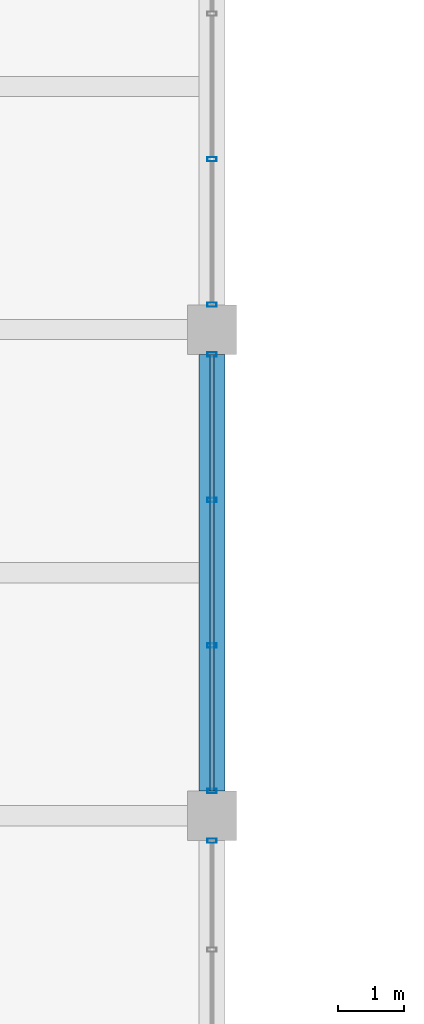
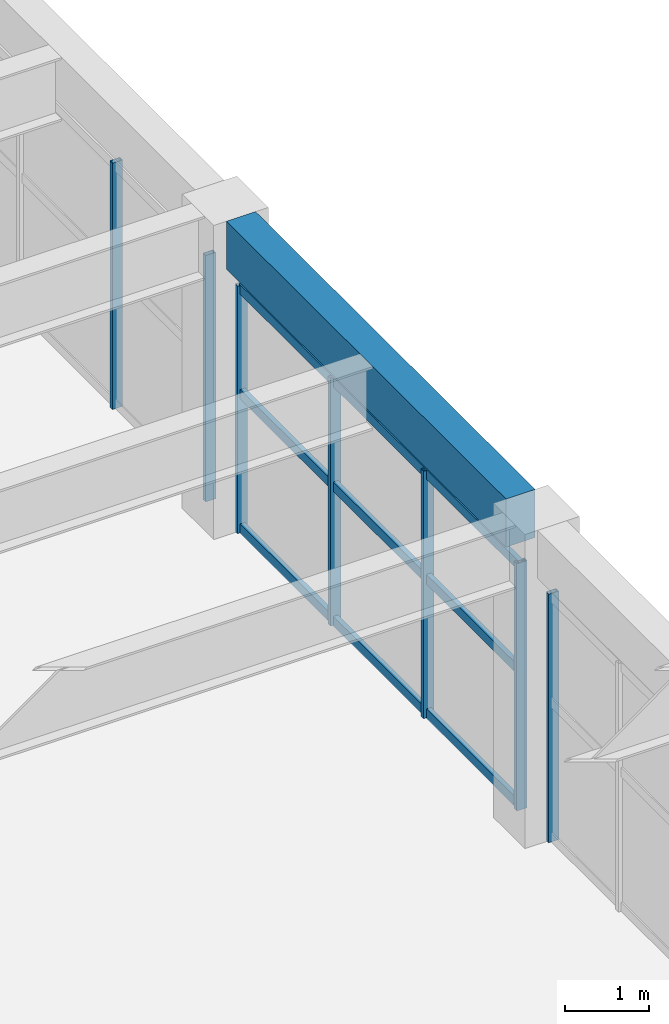
# One storey, part 96 of 161: 10 members, 1 beam, 3 elements without a shape of their own.
"""IFC4 building model written with IfcOpenShell, lengths in metres."""

from ifc_helpers import new_model, si_unit, direction, frame, origin, origin_2d, place, context, subcontext, project, spatial, rectangle, hollow_rectangle, extrude, material, material_profile, profile_set, type_object, element, aggregate, save


model = new_model("IFC4")

# Units and contexts
model_context = context("Model", 3, precision=1e-05, world=origin(), true_north=direction((0.0, 1.0)))
body_context = subcontext(model_context, "Body", "Model", "MODEL_VIEW")
ifc_project = project(units=[si_unit("LENGTHUNIT", "METRE"), si_unit("AREAUNIT", "SQUARE_METRE"), si_unit("VOLUMEUNIT", "CUBIC_METRE"), si_unit("PLANEANGLEUNIT", "RADIAN"), si_unit("MASSUNIT", "GRAM", prefix="KILO")], contexts=[model_context])

# Site, building, storey
site_placement = place(None, origin())
site = spatial("IfcSite", under=ifc_project, at=site_placement, CompositionType="ELEMENT")
building_placement = place(site_placement, origin())
building = spatial("IfcBuilding", under=site, at=building_placement, Name="Cimatlan Art Gallery", CompositionType="ELEMENT")
storey_placement = place(building_placement, frame((0.0, 0.0, 5.39990234375)))
storey = spatial("IfcBuildingStorey", under=building, at=storey_placement, Name="L01", CompositionType="ELEMENT", Elevation=5.39990234375)

# Beam
ifc_material_1 = material(Name="Concrete C40/50", Category="concrete")
ifc_material_profile_1 = material_profile(ifc_material_1, rectangle(XDim=0.39990234375, YDim=0.699951171875, at=origin_2d()), Name="RC400X700")
ifc_profile_set_1 = profile_set([ifc_material_profile_1], Name="Concrete C40/50")
beam_type = type_object("IfcBeamType", Name="BM-RC-400X700", PredefinedType="BEAM", material=ifc_profile_set_1)
beam_placement = place(storey_placement, frame((99.199951171875, 83.47509765625, 4.210205078125), z_axis=(0.0, 1.0, 0.0), x_axis=(-1.0, 0.0, 0.0)))
element("IfcBeam", 1, at=beam_placement, inside=storey, type_object=beam_type, Name="BM-Y-L01-12-11", PredefinedType="BEAM", context=body_context, shape_type="SweptSolid", body=[
    extrude(rectangle(XDim=0.39990234375, YDim=0.699951171875, at=origin_2d()), origin(), (0.0, 0.0, 1.0), 6.64990234375),
])

# Curtain wall, member
ifc_material_2 = material(Name="Anodised bronze unitised curtain wall")
curtain_wall_type_1 = type_object("IfcCurtainWallType", Name="CW-V-06642X03607-B4", PredefinedType="NOTDEFINED", material=ifc_material_2)
curtain_wall_1_placement = place(storey_placement, origin())
curtain_wall_1 = element("IfcCurtainWall", 2, at=curtain_wall_1_placement, inside=storey, type_object=curtain_wall_type_1, Name="CW-L01-11-10-E", PredefinedType="NOTDEFINED")
ifc_material_3 = material(Name="Anodised bronze aluminium 6063-T6", Category="aluminium")
ifc_material_profile_2 = material_profile(ifc_material_3, hollow_rectangle(XDim=0.06494140625, YDim=0.139892578125, WallThickness=0.00390625, at=origin_2d()), Name="ALU65X140X4")
ifc_profile_set_2 = profile_set([ifc_material_profile_2], Name="Anodised bronze aluminium 6063-T6")
member_type_1 = type_object("IfcMemberType", Name="CW-MUL-140", PredefinedType="MULLION", material=ifc_profile_set_2)
member_1_placement = place(storey_placement, frame((99.199951171875, 82.720947265625, 0.0), z_axis=(0.0, 0.0, 1.0), x_axis=(0.0, 1.0, 0.0)))
member_1 = element("IfcMember", 3, at=member_1_placement, type_object=member_type_1, Name="CW-L01-11-10-E-M1", PredefinedType="MULLION", context=body_context, shape_type="SweptSolid", body=[
    extrude(hollow_rectangle(XDim=0.06494140625, YDim=0.139892578125, WallThickness=0.00390625, at=origin_2d()), origin(), (0.0, 0.0, 1.0), 3.607177734375),
])
aggregate(curtain_wall_1, [member_1])

# Curtain wall, members
curtain_wall_type_2 = type_object("IfcCurtainWallType", Name="CW-V-06642X03592-B3", PredefinedType="NOTDEFINED", material=ifc_material_2)
curtain_wall_2_placement = place(storey_placement, origin())
curtain_wall_2 = element("IfcCurtainWall", 4, at=curtain_wall_2_placement, inside=storey, type_object=curtain_wall_type_2, Name="CW-L01-11-11-E", PredefinedType="NOTDEFINED")
member_2_placement = place(storey_placement, frame((99.199951171875, 90.12109375, 0.0), z_axis=(0.0, 0.0, 1.0), x_axis=(0.0, 1.0, 0.0)))
member_2 = element("IfcMember", 5, at=member_2_placement, type_object=member_type_1, Name="CW-L01-11-11-E-M1", PredefinedType="MULLION", context=body_context, shape_type="SweptSolid", body=[
    extrude(hollow_rectangle(XDim=0.06494140625, YDim=0.139892578125, WallThickness=0.00390625, at=origin_2d()), origin(), (0.0, 0.0, 1.0), 3.592041015625),
])
member_3_placement = place(storey_placement, frame((99.199951171875, 87.906982421875, 0.0), z_axis=(0.0, 0.0, 1.0), x_axis=(0.0, 1.0, 0.0)))
member_3 = element("IfcMember", 6, at=member_3_placement, type_object=member_type_1, Name="CW-L01-11-11-E-M2", PredefinedType="MULLION", context=body_context, shape_type="SweptSolid", body=[
    extrude(hollow_rectangle(XDim=0.06494140625, YDim=0.139892578125, WallThickness=0.00390625, at=origin_2d()), origin(), (0.0, 0.0, 1.0), 3.592041015625),
])
member_4_placement = place(storey_placement, frame((99.199951171875, 85.693115234375, 0.0), z_axis=(0.0, 0.0, 1.0), x_axis=(0.0, 1.0, 0.0)))
member_4 = element("IfcMember", 7, at=member_4_placement, type_object=member_type_1, Name="CW-L01-11-11-E-M3", PredefinedType="MULLION", context=body_context, shape_type="SweptSolid", body=[
    extrude(hollow_rectangle(XDim=0.06494140625, YDim=0.139892578125, WallThickness=0.00390625, at=origin_2d()), origin(), (0.0, 0.0, 1.0), 3.592041015625),
])
member_5_placement = place(storey_placement, frame((99.199951171875, 83.47900390625, 0.0), z_axis=(0.0, 0.0, 1.0), x_axis=(0.0, 1.0, 0.0)))
member_5 = element("IfcMember", 8, at=member_5_placement, type_object=member_type_1, Name="CW-L01-11-11-E-M4", PredefinedType="MULLION", context=body_context, shape_type="SweptSolid", body=[
    extrude(hollow_rectangle(XDim=0.06494140625, YDim=0.139892578125, WallThickness=0.00390625, at=origin_2d()), origin(), (0.0, 0.0, 1.0), 3.592041015625),
])

curtain_wall_type_3 = type_object("IfcCurtainWallType", Name="CW-V-06642X03577-B3", PredefinedType="NOTDEFINED", material=ifc_material_2)
curtain_wall_3_placement = place(storey_placement, origin())
curtain_wall_3 = element("IfcCurtainWall", 9, at=curtain_wall_3_placement, inside=storey, type_object=curtain_wall_type_3, Name="CW-L01-11-12-E", PredefinedType="NOTDEFINED")
member_6_placement = place(storey_placement, frame((99.199951171875, 93.093017578125, 0.0), z_axis=(0.0, 0.0, 1.0), x_axis=(0.0, 1.0, 0.0)))
member_6 = element("IfcMember", 10, at=member_6_placement, type_object=member_type_1, Name="CW-L01-11-12-E-M3", PredefinedType="MULLION", context=body_context, shape_type="SweptSolid", body=[
    extrude(hollow_rectangle(XDim=0.06494140625, YDim=0.139892578125, WallThickness=0.00390625, at=origin_2d()), origin(), (0.0, 0.0, 1.0), 3.5771484375),
])
member_7_placement = place(storey_placement, frame((99.199951171875, 90.87890625, 0.0), z_axis=(0.0, 0.0, 1.0), x_axis=(0.0, 1.0, 0.0)))
member_7 = element("IfcMember", 11, at=member_7_placement, type_object=member_type_1, Name="CW-L01-11-12-E-M4", PredefinedType="MULLION", context=body_context, shape_type="SweptSolid", body=[
    extrude(hollow_rectangle(XDim=0.06494140625, YDim=0.139892578125, WallThickness=0.00390625, at=origin_2d()), origin(), (0.0, 0.0, 1.0), 3.5771484375),
])
aggregate(curtain_wall_3, [member_6, member_7])

# Member
ifc_material_profile_3 = material_profile(ifc_material_3, hollow_rectangle(XDim=0.06494140625, YDim=0.139892578125, WallThickness=0.00390625, at=origin_2d()), Name="ALU65X140X4")
ifc_profile_set_3 = profile_set([ifc_material_profile_3], Name="Anodised bronze aluminium 6063-T6")
member_type_2 = type_object("IfcMemberType", Name="CW-TRN-140", PredefinedType="USERDEFINED", material=ifc_profile_set_3)
member_8_placement = place(storey_placement, frame((99.199951171875, 90.12109375, 0.06005859375), z_axis=(0.0, -1.0, 0.0), x_axis=(1.0, 0.0, 0.0)))
member_8 = element("IfcMember", 12, at=member_8_placement, type_object=member_type_2, Name="CW-L01-11-11-E-T1", ObjectType="TRANSOM", PredefinedType="USERDEFINED", context=body_context, shape_type="SweptSolid", body=[
    extrude(hollow_rectangle(XDim=0.06494140625, YDim=0.139892578125, WallThickness=0.00390625, at=origin_2d()), origin(), (0.0, 0.0, 1.0), 6.64208984375),
])

member_9_placement = place(storey_placement, frame((99.199951171875, 90.12109375, 2.01171875), z_axis=(0.0, -1.0, 0.0), x_axis=(1.0, 0.0, 0.0)))
member_9 = element("IfcMember", 13, at=member_9_placement, type_object=member_type_2, Name="CW-L01-11-11-E-T2", ObjectType="TRANSOM", PredefinedType="USERDEFINED", context=body_context, shape_type="SweptSolid", body=[
    extrude(hollow_rectangle(XDim=0.06494140625, YDim=0.139892578125, WallThickness=0.00390625, at=origin_2d()), origin(), (0.0, 0.0, 1.0), 6.64208984375),
])

member_10_placement = place(storey_placement, frame((99.199951171875, 90.12109375, 3.531982421875), z_axis=(0.0, -1.0, 0.0), x_axis=(1.0, 0.0, 0.0)))
member_10 = element("IfcMember", 14, at=member_10_placement, type_object=member_type_2, Name="CW-L01-11-11-E-T3", ObjectType="TRANSOM", PredefinedType="USERDEFINED", context=body_context, shape_type="SweptSolid", body=[
    extrude(hollow_rectangle(XDim=0.06494140625, YDim=0.139892578125, WallThickness=0.00390625, at=origin_2d()), origin(), (0.0, 0.0, 1.0), 6.64208984375),
])

aggregate(curtain_wall_2, [member_2, member_3, member_4, member_5, member_8, member_9, member_10])

save(model, "model.ifc")
